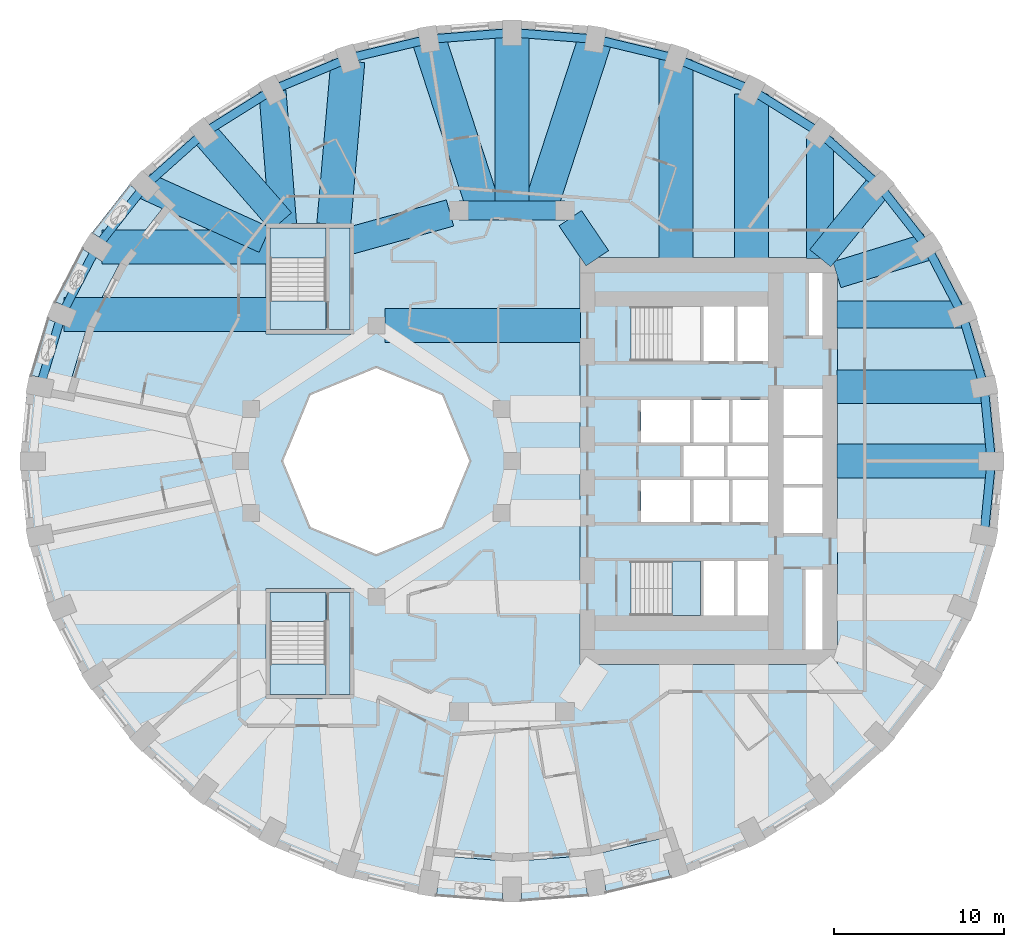
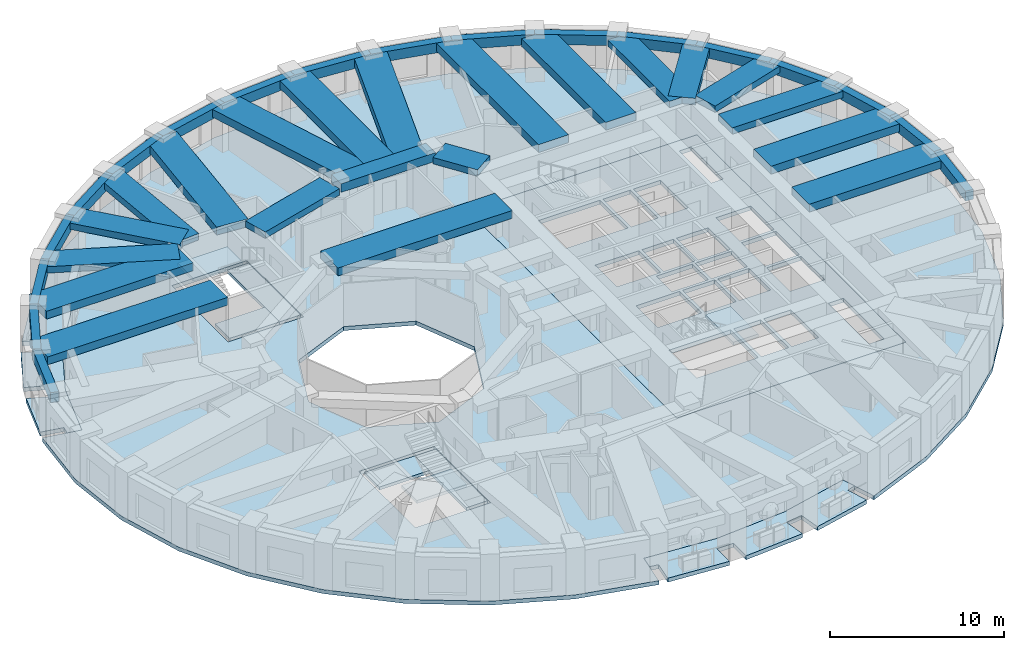
# One storey, part 2 of 13: 39 beams, 11 slabs, 3 elements without a shape of their own.
"""IFC4 building model written with IfcOpenShell, lengths in metres."""

from ifc_helpers import new_model, si_unit, direction, frame, origin, origin_2d, place, context, subcontext, project, spatial, polyline, rectangle, outline, extrude, material, layer, layer_set, material_profile, profile_set, type_object, element, aggregate, save


model = new_model("IFC4")

# Units and contexts
model_context = context("Model", 3, precision=1e-05, world=origin(), true_north=direction((0.0, 1.0)))
body_context = subcontext(model_context, "Body", "Model", "MODEL_VIEW")
ifc_project = project(units=[si_unit("LENGTHUNIT", "METRE"), si_unit("AREAUNIT", "SQUARE_METRE"), si_unit("VOLUMEUNIT", "CUBIC_METRE"), si_unit("PLANEANGLEUNIT", "RADIAN"), si_unit("MASSUNIT", "GRAM", prefix="KILO")], contexts=[model_context])

# Site, building, storey
site_placement = place(None, origin())
site = spatial("IfcSite", under=ifc_project, at=site_placement, CompositionType="ELEMENT")
building_placement = place(site_placement, origin())
building = spatial("IfcBuilding", under=site, at=building_placement, Name="Taillehof Tower", CompositionType="ELEMENT")
storey_placement = place(building_placement, frame((0.0, 0.0, 34.89990234375)))
storey = spatial("IfcBuildingStorey", under=building, at=storey_placement, Name="L08", CompositionType="ELEMENT", Elevation=34.89990234375)

# Beams
ifc_material_1 = material(Name="Concrete C50/60", Category="concrete")
ifc_material_profile_1 = material_profile(ifc_material_1, rectangle(XDim=1.10009765625, YDim=0.60009765625, at=origin_2d()), Name="RC 1100x600")
ifc_profile_set_1 = profile_set([ifc_material_profile_1], Name="Concrete C50/60")
beam_type_1 = type_object("IfcBeamType", Name="Mid-ring beam C50/60 1100x600", PredefinedType="BEAM", material=ifc_profile_set_1)
beam_1_placement = place(storey_placement, frame((3.125732421875, 14.772216796875, 2.72021484375), z_axis=(-1.0, 0.0, 0.0), x_axis=(0.0, -1.0, 0.0)))
element("IfcBeam", 1, at=beam_1_placement, inside=storey, type_object=beam_type_1, Name="Mid-ring beam MB01", PredefinedType="BEAM", context=body_context, shape_type="SweptSolid", body=[
    extrude(rectangle(XDim=1.10009765625, YDim=0.60009765625, at=origin_2d()), origin(), (0.0, 0.0, 1.0), 6.25146484375),
])
ifc_material_2 = material(Name="Concrete C50/60", Category="concrete")
ifc_material_profile_2 = material_profile(ifc_material_2, rectangle(XDim=1.60009765625, YDim=0.449951171875, at=origin_2d()), Name="RC 1600x450")
ifc_profile_set_2 = profile_set([ifc_material_profile_2], Name="Concrete C50/60")
beam_type_2 = type_object("IfcBeamType", Name="Radial band beam C50/60 1600x450", PredefinedType="BEAM", material=ifc_profile_set_2)
beam_2_placement = place(storey_placement, frame((26.490478515625, 8.635986328125, 2.795166015625), z_axis=(-1.0, 0.0, 0.0), x_axis=(0.0, -1.0, 0.0)))
element("IfcBeam", 2, at=beam_2_placement, inside=storey, type_object=beam_type_2, Name="Radial band beam RB03", PredefinedType="BEAM", context=body_context, shape_type="SweptSolid", body=[
    extrude(rectangle(XDim=1.60009765625, YDim=0.449951171875, at=origin_2d()), origin(), (0.0, 0.0, 1.0), 7.340576171875),
])
beam_3_placement = place(storey_placement, frame((24.46533203125, 12.625, 2.795166015625), z_axis=(-0.955535654338, -0.294875589511, 0.0), x_axis=(0.294875589511, -0.955535654338, 0.0)))
element("IfcBeam", 3, at=beam_3_placement, inside=storey, type_object=beam_type_2, Name="Radial band beam RB04", PredefinedType="BEAM", context=body_context, shape_type="SweptSolid", body=[
    extrude(rectangle(XDim=1.60009765625, YDim=0.449951171875, at=origin_2d()), origin(), (0.0, 0.0, 1.0), 5.560546875),
])
beam_4_placement = place(storey_placement, frame((21.640869140625, 16.23046875, 2.795166015625), z_axis=(-0.630988373846, -0.775792286679, 0.0), x_axis=(0.775792286679, -0.630988373846, 0.0)))
element("IfcBeam", 4, at=beam_4_placement, inside=storey, type_object=beam_type_2, Name="Radial band beam RB05", PredefinedType="BEAM", context=body_context, shape_type="SweptSolid", body=[
    extrude(rectangle(XDim=1.60009765625, YDim=0.449951171875, at=origin_2d()), origin(), (0.0, 0.0, 1.0), 5.503173828125),
])
beam_5_placement = place(storey_placement, frame((18.15869140625, 19.05517578125, 2.795166015625), z_axis=(0.0, -1.0, 0.0), x_axis=(1.0, 0.0, 0.0)))
element("IfcBeam", 5, at=beam_5_placement, inside=storey, type_object=beam_type_2, Name="Radial band beam RB06", PredefinedType="BEAM", context=body_context, shape_type="SweptSolid", body=[
    extrude(rectangle(XDim=1.60009765625, YDim=0.449951171875, at=origin_2d()), origin(), (0.0, 0.0, 1.0), 7.105224609375),
])
beam_6_placement = place(storey_placement, frame((-14.119873046875, 21.802978515625, 2.795166015625), z_axis=(0.079184740988, -0.996859958467, 0.0), x_axis=(0.996859958467, 0.079184740988, 0.0)))
element("IfcBeam", 6, at=beam_6_placement, inside=storey, type_object=beam_type_2, Name="Radial band beam RB13", PredefinedType="BEAM", context=body_context, shape_type="SweptSolid", body=[
    extrude(rectangle(XDim=1.60009765625, YDim=0.449951171875, at=origin_2d()), origin(), (0.0, 0.0, 1.0), 7.87744140625),
])
beam_7_placement = place(storey_placement, frame((-18.15869140625, 19.342529296875, 2.795166015625), z_axis=(0.65721824087, -0.753700327628, 0.0), x_axis=(0.753700327628, 0.65721824087, 0.0)))
element("IfcBeam", 7, at=beam_7_placement, inside=storey, type_object=beam_type_2, Name="Radial band beam RB14", PredefinedType="BEAM", context=body_context, shape_type="SweptSolid", body=[
    extrude(rectangle(XDim=1.60009765625, YDim=0.449951171875, at=origin_2d()), origin(), (0.0, 0.0, 1.0), 6.9384765625),
])
beam_8_placement = place(storey_placement, frame((-21.632568359375, 16.226806640625, 2.795166015625), z_axis=(0.911100590789, -0.412184077161, 0.0), x_axis=(0.412184077161, 0.911100590789, 0.0)))
element("IfcBeam", 8, at=beam_8_placement, inside=storey, type_object=beam_type_2, Name="Radial band beam RB15", PredefinedType="BEAM", context=body_context, shape_type="SweptSolid", body=[
    extrude(rectangle(XDim=1.60009765625, YDim=0.449951171875, at=origin_2d()), origin(), (0.0, 0.0, 1.0), 7.740966796875),
])
beam_9_placement = place(storey_placement, frame((3.433837890625, 14.31640625, 2.795166015625), z_axis=(0.560112043398, -0.828416862962, 0.0), x_axis=(0.828416862962, 0.560112043398, 0.0)))
element("IfcBeam", 9, at=beam_9_placement, inside=storey, type_object=beam_type_2, Name="Inner band beam IB205", PredefinedType="BEAM", context=body_context, shape_type="SweptSolid", body=[
    extrude(rectangle(XDim=1.60009765625, YDim=0.449951171875, at=origin_2d()), origin(), (0.0, 0.0, 1.0), 2.84619140625),
])
beam_10_placement = place(storey_placement, frame((-3.655517578125, 14.624755859375, 2.795166015625), z_axis=(-0.963459369536, -0.267854518821, 0.0), x_axis=(0.267854518821, -0.963459369536, 0.0)))
element("IfcBeam", 10, at=beam_10_placement, inside=storey, type_object=beam_type_2, Name="Inner band beam IB206", PredefinedType="BEAM", context=body_context, shape_type="SweptSolid", body=[
    extrude(rectangle(XDim=1.60009765625, YDim=0.449951171875, at=origin_2d()), origin(), (0.0, 0.0, 1.0), 6.096923828125),
])
ifc_material_3 = material(Name="Concrete C50/60", Category="concrete")
ifc_material_profile_3 = material_profile(ifc_material_3, rectangle(XDim=2.0, YDim=0.550048828125, at=origin_2d()), Name="RC 2000x550")
ifc_profile_set_3 = profile_set([ifc_material_profile_3], Name="Concrete C50/60")
beam_type_3 = type_object("IfcBeamType", Name="Radial band beam C50/60 2000x550", PredefinedType="BEAM", material=ifc_profile_set_3)
beam_11_placement = place(storey_placement, frame((28.25, 0.0, 2.7451171875), z_axis=(-1.0, 0.0, 0.0), x_axis=(0.0, -1.0, 0.0)))
element("IfcBeam", 11, at=beam_11_placement, inside=storey, type_object=beam_type_3, Name="Radial band beam RB01", PredefinedType="BEAM", context=body_context, shape_type="SweptSolid", body=[
    extrude(rectangle(XDim=2.0, YDim=0.550048828125, at=origin_2d()), origin(), (0.0, 0.0, 1.0), 9.10009765625),
])
beam_12_placement = place(storey_placement, frame((27.82080078125, 4.384521484375, 2.7451171875), z_axis=(-1.0, 0.0, 0.0), x_axis=(0.0, -1.0, 0.0)))
element("IfcBeam", 12, at=beam_12_placement, inside=storey, type_object=beam_type_3, Name="Radial band beam RB02", PredefinedType="BEAM", context=body_context, shape_type="SweptSolid", body=[
    extrude(rectangle(XDim=2.0, YDim=0.550048828125, at=origin_2d()), origin(), (0.0, 0.0, 1.0), 8.6708984375),
])
beam_13_placement = place(storey_placement, frame((14.125, 21.63232421875, 2.7451171875), z_axis=(0.0, -1.0, 0.0), x_axis=(1.0, 0.0, 0.0)))
element("IfcBeam", 13, at=beam_13_placement, inside=storey, type_object=beam_type_3, Name="Radial band beam RB07", PredefinedType="BEAM", context=body_context, shape_type="SweptSolid", body=[
    extrude(rectangle(XDim=2.0, YDim=0.550048828125, at=origin_2d()), origin(), (0.0, 0.0, 1.0), 9.682373046875),
])
beam_14_placement = place(storey_placement, frame((9.662109375, 23.664794921875, 2.7451171875), z_axis=(0.0, -1.0, 0.0), x_axis=(1.0, 0.0, 0.0)))
element("IfcBeam", 14, at=beam_14_placement, inside=storey, type_object=beam_type_3, Name="Radial band beam RB08", PredefinedType="BEAM", context=body_context, shape_type="SweptSolid", body=[
    extrude(rectangle(XDim=2.0, YDim=0.550048828125, at=origin_2d()), origin(), (0.0, 0.0, 1.0), 11.71484375),
])
beam_15_placement = place(storey_placement, frame((4.905517578125, 24.866455078125, 2.7451171875), z_axis=(-0.309014294595, -0.951057393503, 0.0), x_axis=(0.951057393503, -0.309014294595, 0.0)))
element("IfcBeam", 15, at=beam_15_placement, inside=storey, type_object=beam_type_3, Name="Radial band beam RB09", PredefinedType="BEAM", context=body_context, shape_type="SweptSolid", body=[
    extrude(rectangle(XDim=2.0, YDim=0.550048828125, at=origin_2d()), origin(), (0.0, 0.0, 1.0), 10.61376953125),
])
beam_16_placement = place(storey_placement, frame((0.0, 25.25, 2.7451171875), z_axis=(0.0, -1.0, 0.0), x_axis=(1.0, 0.0, 0.0)))
element("IfcBeam", 16, at=beam_16_placement, inside=storey, type_object=beam_type_3, Name="Radial band beam RB10", PredefinedType="BEAM", context=body_context, shape_type="SweptSolid", body=[
    extrude(rectangle(XDim=2.0, YDim=0.550048828125, at=origin_2d()), origin(), (0.0, 0.0, 1.0), 10.477783203125),
])
beam_17_placement = place(storey_placement, frame((-4.905517578125, 24.866455078125, 2.7451171875), z_axis=(0.309014294595, -0.951057393503, 0.0), x_axis=(0.951057393503, 0.309014294595, 0.0)))
element("IfcBeam", 17, at=beam_17_placement, inside=storey, type_object=beam_type_3, Name="Radial band beam RB11", PredefinedType="BEAM", context=body_context, shape_type="SweptSolid", body=[
    extrude(rectangle(XDim=2.0, YDim=0.550048828125, at=origin_2d()), origin(), (0.0, 0.0, 1.0), 10.61376953125),
])
beam_18_placement = place(storey_placement, frame((-9.675048828125, 23.575927734375, 2.7451171875), z_axis=(-0.085841202752, -0.996308831593, 0.0), x_axis=(0.996308831593, -0.085841202752, 0.0)))
element("IfcBeam", 18, at=beam_18_placement, inside=storey, type_object=beam_type_3, Name="Radial band beam RB12", PredefinedType="BEAM", context=body_context, shape_type="SweptSolid", body=[
    extrude(rectangle(XDim=2.0, YDim=0.550048828125, at=origin_2d()), origin(), (0.0, 0.0, 1.0), 9.661376953125),
])
beam_19_placement = place(storey_placement, frame((-24.172607421875, 12.625, 2.7451171875), z_axis=(1.0, 0.0, 0.0), x_axis=(0.0, 1.0, 0.0)))
element("IfcBeam", 19, at=beam_19_placement, inside=storey, type_object=beam_type_3, Name="Radial band beam RB16", PredefinedType="BEAM", context=body_context, shape_type="SweptSolid", body=[
    extrude(rectangle(XDim=2.0, YDim=0.550048828125, at=origin_2d()), origin(), (0.0, 0.0, 1.0), 9.72265625),
])
beam_20_placement = place(storey_placement, frame((-26.408935546875, 8.635986328125, 2.7451171875), z_axis=(1.0, 0.0, 0.0), x_axis=(0.0, 1.0, 0.0)))
element("IfcBeam", 20, at=beam_20_placement, inside=storey, type_object=beam_type_3, Name="Radial band beam RB17", PredefinedType="BEAM", context=body_context, shape_type="SweptSolid", body=[
    extrude(rectangle(XDim=2.0, YDim=0.550048828125, at=origin_2d()), origin(), (0.0, 0.0, 1.0), 11.958984375),
])
beam_21_placement = place(storey_placement, frame((-7.5, 8.0, 2.7451171875), z_axis=(1.0, 0.0, 0.0), x_axis=(0.0, 1.0, 0.0)))
element("IfcBeam", 21, at=beam_21_placement, inside=storey, type_object=beam_type_3, Name="Inner band beam IB105", PredefinedType="BEAM", context=body_context, shape_type="SweptSolid", body=[
    extrude(rectangle(XDim=2.0, YDim=0.550048828125, at=origin_2d()), origin(), (0.0, 0.0, 1.0), 11.550048828125),
])
ifc_material_4 = material(Name="Concrete C50/60", Category="concrete")
ifc_material_profile_4 = material_profile(ifc_material_4, rectangle(XDim=0.5, YDim=0.699951171875, at=origin_2d()), Name="RC 500x700")
ifc_profile_set_4 = profile_set([ifc_material_profile_4], Name="Concrete C50/60")
beam_type_4 = type_object("IfcBeamType", Name="Spandrel beam C50/60 500x700", PredefinedType="SPANDREL", material=ifc_profile_set_4)
beam_22_placement = place(storey_placement, frame((28.25, 0.0, 2.670166015625), z_axis=(-0.097423973567, 0.99524297002, 0.0), x_axis=(-0.99524297002, -0.097423973567, 0.0)))
element("IfcBeam", 22, at=beam_22_placement, inside=storey, type_object=beam_type_4, Name="Spandrel beam SB01", PredefinedType="SPANDREL", context=body_context, shape_type="SweptSolid", body=[
    extrude(rectangle(XDim=0.5, YDim=0.699951171875, at=origin_2d()), origin(), (0.0, 0.0, 1.0), 4.405517578125),
])
beam_23_placement = place(storey_placement, frame((27.82080078125, 4.384521484375, 2.670166015625), z_axis=(-0.287135925407, 0.957889847707, 0.0), x_axis=(-0.957889847707, -0.287135925407, 0.0)))
element("IfcBeam", 23, at=beam_23_placement, inside=storey, type_object=beam_type_4, Name="Spandrel beam SB02", PredefinedType="SPANDREL", context=body_context, shape_type="SweptSolid", body=[
    extrude(rectangle(XDim=0.5, YDim=0.699951171875, at=origin_2d()), origin(), (0.0, 0.0, 1.0), 4.4384765625),
])
beam_24_placement = place(storey_placement, frame((26.54638671875, 8.635986328125, 2.670166015625), z_axis=(-0.462536335232, 0.886600326297, 0.0), x_axis=(-0.886600326297, -0.462536335232, 0.0)))
element("IfcBeam", 24, at=beam_24_placement, inside=storey, type_object=beam_type_4, Name="Spandrel beam SB03", PredefinedType="SPANDREL", context=body_context, shape_type="SweptSolid", body=[
    extrude(rectangle(XDim=0.5, YDim=0.699951171875, at=origin_2d()), origin(), (0.0, 0.0, 1.0), 4.499267578125),
])
beam_25_placement = place(storey_placement, frame((24.46533203125, 12.625, 2.670166015625), z_axis=(-0.616686200373, 0.787209076593, 0.0), x_axis=(-0.787209076593, -0.616686200373, 0.0)))
element("IfcBeam", 25, at=beam_25_placement, inside=storey, type_object=beam_type_4, Name="Spandrel beam SB04", PredefinedType="SPANDREL", context=body_context, shape_type="SweptSolid", body=[
    extrude(rectangle(XDim=0.5, YDim=0.699951171875, at=origin_2d()), origin(), (0.0, 0.0, 1.0), 4.580078125),
])
beam_26_placement = place(storey_placement, frame((21.640869140625, 16.23046875, 2.670166015625), z_axis=(-0.745621283614, 0.666369943366, 0.0), x_axis=(-0.666369943366, -0.745621283614, 0.0)))
element("IfcBeam", 26, at=beam_26_placement, inside=storey, type_object=beam_type_4, Name="Spandrel beam SB05", PredefinedType="SPANDREL", context=body_context, shape_type="SweptSolid", body=[
    extrude(rectangle(XDim=0.5, YDim=0.699951171875, at=origin_2d()), origin(), (0.0, 0.0, 1.0), 4.670166015625),
])
beam_27_placement = place(storey_placement, frame((18.15869140625, 19.342529296875, 2.670166015625), z_axis=(-0.847658018883, 0.530543007703, 0.0), x_axis=(-0.530543007703, -0.847658018883, 0.0)))
element("IfcBeam", 27, at=beam_27_placement, inside=storey, type_object=beam_type_4, Name="Spandrel beam SB06", PredefinedType="SPANDREL", context=body_context, shape_type="SweptSolid", body=[
    extrude(rectangle(XDim=0.5, YDim=0.699951171875, at=origin_2d()), origin(), (0.0, 0.0, 1.0), 4.758544921875),
])
beam_28_placement = place(storey_placement, frame((14.125, 21.8671875, 2.670166015625), z_axis=(-0.923035088053, 0.384715773297, 0.0), x_axis=(-0.384715773297, -0.923035088053, 0.0)))
element("IfcBeam", 28, at=beam_28_placement, inside=storey, type_object=beam_type_4, Name="Spandrel beam SB07", PredefinedType="SPANDREL", context=body_context, shape_type="SweptSolid", body=[
    extrude(rectangle(XDim=0.5, YDim=0.699951171875, at=origin_2d()), origin(), (0.0, 0.0, 1.0), 4.8349609375),
])
beam_29_placement = place(storey_placement, frame((9.662109375, 23.727294921875, 2.670166015625), z_axis=(-0.9724995553, 0.232904733616, 0.0), x_axis=(-0.232904733616, -0.9724995553, 0.0)))
element("IfcBeam", 29, at=beam_29_placement, inside=storey, type_object=beam_type_4, Name="Spandrel beam SB08", PredefinedType="SPANDREL", context=body_context, shape_type="SweptSolid", body=[
    extrude(rectangle(XDim=0.5, YDim=0.699951171875, at=origin_2d()), origin(), (0.0, 0.0, 1.0), 4.89111328125),
])
for number, where, z_axis, x_axis, name in (
    (30, (4.905517578125, 24.866455078125, 2.670166015625), (-0.996957383661, 0.077948541767, 0.0), (-0.077948541767, -0.996957383661, 0.0), "Spandrel beam SB09"),
    (31, (0.0, 25.25, 2.670166015625), (-0.996957383661, -0.077948541767, 0.0), (0.077948541767, -0.996957383661, 0.0), "Spandrel beam SB10"),
):
    element("IfcBeam", number, at=place(storey_placement, frame(where, z_axis=z_axis, x_axis=x_axis)), inside=storey, type_object=beam_type_4, Name=name, PredefinedType="SPANDREL", context=body_context, shape_type="SweptSolid", body=[
        extrude(rectangle(XDim=0.5, YDim=0.699951171875, at=origin_2d()), origin(), (0.0, 0.0, 1.0), 4.92041015625),
    ])
beam_30_placement = place(storey_placement, frame((-4.905517578125, 24.866455078125, 2.670166015625), z_axis=(-0.9724995553, -0.232904733616, 0.0), x_axis=(0.232904733616, -0.9724995553, 0.0)))
element("IfcBeam", 32, at=beam_30_placement, inside=storey, type_object=beam_type_4, Name="Spandrel beam SB11", PredefinedType="SPANDREL", context=body_context, shape_type="SweptSolid", body=[
    extrude(rectangle(XDim=0.5, YDim=0.699951171875, at=origin_2d()), origin(), (0.0, 0.0, 1.0), 4.89111328125),
])
beam_31_placement = place(storey_placement, frame((-9.662109375, 23.727294921875, 2.670166015625), z_axis=(-0.923035088053, -0.384715773297, 0.0), x_axis=(0.384715773297, -0.923035088053, 0.0)))
element("IfcBeam", 33, at=beam_31_placement, inside=storey, type_object=beam_type_4, Name="Spandrel beam SB12", PredefinedType="SPANDREL", context=body_context, shape_type="SweptSolid", body=[
    extrude(rectangle(XDim=0.5, YDim=0.699951171875, at=origin_2d()), origin(), (0.0, 0.0, 1.0), 4.8349609375),
])
beam_32_placement = place(storey_placement, frame((-14.125, 21.8671875, 2.670166015625), z_axis=(-0.847658018883, -0.530543007703, 0.0), x_axis=(0.530543007703, -0.847658018883, 0.0)))
element("IfcBeam", 34, at=beam_32_placement, inside=storey, type_object=beam_type_4, Name="Spandrel beam SB13", PredefinedType="SPANDREL", context=body_context, shape_type="SweptSolid", body=[
    extrude(rectangle(XDim=0.5, YDim=0.699951171875, at=origin_2d()), origin(), (0.0, 0.0, 1.0), 4.758544921875),
])
beam_33_placement = place(storey_placement, frame((-18.15869140625, 19.342529296875, 2.670166015625), z_axis=(-0.745621283614, -0.666369943366, 0.0), x_axis=(0.666369943366, -0.745621283614, 0.0)))
element("IfcBeam", 35, at=beam_33_placement, inside=storey, type_object=beam_type_4, Name="Spandrel beam SB14", PredefinedType="SPANDREL", context=body_context, shape_type="SweptSolid", body=[
    extrude(rectangle(XDim=0.5, YDim=0.699951171875, at=origin_2d()), origin(), (0.0, 0.0, 1.0), 4.670166015625),
])
beam_34_placement = place(storey_placement, frame((-21.640869140625, 16.23046875, 2.670166015625), z_axis=(-0.616686200373, -0.787209076593, 0.0), x_axis=(0.787209076593, -0.616686200373, 0.0)))
element("IfcBeam", 36, at=beam_34_placement, inside=storey, type_object=beam_type_4, Name="Spandrel beam SB15", PredefinedType="SPANDREL", context=body_context, shape_type="SweptSolid", body=[
    extrude(rectangle(XDim=0.5, YDim=0.699951171875, at=origin_2d()), origin(), (0.0, 0.0, 1.0), 4.580078125),
])
beam_35_placement = place(storey_placement, frame((-24.46533203125, 12.625, 2.670166015625), z_axis=(-0.462536335232, -0.886600326297, 0.0), x_axis=(0.886600326297, -0.462536335232, 0.0)))
element("IfcBeam", 37, at=beam_35_placement, inside=storey, type_object=beam_type_4, Name="Spandrel beam SB16", PredefinedType="SPANDREL", context=body_context, shape_type="SweptSolid", body=[
    extrude(rectangle(XDim=0.5, YDim=0.699951171875, at=origin_2d()), origin(), (0.0, 0.0, 1.0), 4.499267578125),
])
beam_36_placement = place(storey_placement, frame((-26.54638671875, 8.635986328125, 2.670166015625), z_axis=(-0.287135925407, -0.957889847707, 0.0), x_axis=(0.957889847707, -0.287135925407, 0.0)))
element("IfcBeam", 38, at=beam_36_placement, inside=storey, type_object=beam_type_4, Name="Spandrel beam SB17", PredefinedType="SPANDREL", context=body_context, shape_type="SweptSolid", body=[
    extrude(rectangle(XDim=0.5, YDim=0.699951171875, at=origin_2d()), origin(), (0.0, 0.0, 1.0), 4.4384765625),
])
beam_37_placement = place(storey_placement, frame((27.82080078125, -4.384521484375, 2.670166015625), z_axis=(0.097423973567, 0.99524297002, 0.0), x_axis=(-0.99524297002, 0.097423973567, 0.0)))
element("IfcBeam", 39, at=beam_37_placement, inside=storey, type_object=beam_type_4, Name="Spandrel beam SB36", PredefinedType="SPANDREL", context=body_context, shape_type="SweptSolid", body=[
    extrude(rectangle(XDim=0.5, YDim=0.699951171875, at=origin_2d()), origin(), (0.0, 0.0, 1.0), 4.405517578125),
])

# Slabs
ifc_material_5 = material(Name="Concrete C40/50", Category="concrete")
ifc_layer_1 = layer(ifc_material_5, 0.280029296875)
ifc_layer_set_1 = layer_set([ifc_layer_1], Name="Balcony slab 280")
slab_type_1 = type_object("IfcSlabType", Name="Balcony slab 280", PredefinedType="USERDEFINED", material=ifc_layer_set_1)
slab_1_placement = place(storey_placement, frame((0.0, 0.0, -0.27978515625)))
element("IfcSlab", 40, at=slab_1_placement, inside=storey, type_object=slab_type_1, Name="Balcony L08 pocket 4", ObjectType="BALCONY", PredefinedType="USERDEFINED", context=body_context, shape_type="SweptSolid", body=[
    extrude(outline(polyline([(-26.20458984375, 4.0517578125), (-27.087646484375, 4.225341796875), (-26.978759765625, 4.779541015625), (-28.39697265625, 5.058349609375), (-27.4013671875, 8.3896484375), (-26.058349609375, 7.84423828125), (-25.64453125, 8.863525390625), (-26.9833984375, 9.406982421875), (-25.352783203125, 12.54248046875), (-24.13232421875, 11.756591796875), (-23.536865234375, 12.681396484375), (-24.752197265625, 13.464111328125), (-22.530029296875, 16.309326171875), (-21.468994140625, 15.31640625), (-21.120849609375, 15.688232421875), (-20.463134765625, 15.072509765625), (-23.096923828125, 11.70068359375), (-25.02734375, 7.98974609375), (-26.20458984375, 4.0517578125)])), origin(), (0.0, 0.0, 1.0), 0.27978515625),
])
slab_2_placement = place(storey_placement, frame((0.0, 0.0, -0.27978515625)))
element("IfcSlab", 41, at=slab_2_placement, inside=storey, type_object=slab_type_1, Name="Balcony L08 pocket 8", ObjectType="BALCONY", PredefinedType="USERDEFINED", context=body_context, shape_type="SweptSolid", body=[
    extrude(outline(polyline([(9.174072265625, -22.150390625), (9.453369140625, -23.00634765625), (8.906494140625, -23.184814453125), (9.357421875, -24.56689453125), (5.559326171875, -25.479248046875), (5.331787109375, -24.039794921875), (4.2451171875, -24.21142578125), (4.472412109375, -25.649169921875), (0.550048828125, -25.956787109375), (0.550048828125, -24.5), (-0.550048828125, -24.5), (-0.550048828125, -25.956787109375), (-4.472412109375, -25.649169921875), (-4.2451171875, -24.21142578125), (-4.801513671875, -24.12353515625), (-4.6611328125, -23.234375), (0.0, -23.60009765625), (4.6611328125, -23.234375), (9.174072265625, -22.150390625)])), origin(), (0.0, 0.0, 1.0), 0.27978515625),
])
ifc_material_6 = material(Name="Concrete C40/50", Category="concrete")
ifc_layer_2 = layer(ifc_material_6, 0.280029296875)
ifc_layer_set_2 = layer_set([ifc_layer_2], Name="Core floor slab C40/50 280")
slab_type_2 = type_object("IfcSlabType", Name="Core floor slab C40/50 280", PredefinedType="FLOOR", material=ifc_layer_set_2)
slab_3_placement = place(storey_placement, frame((0.0, 0.0, -0.27978515625)))
element("IfcSlab", 42, at=slab_3_placement, inside=storey, type_object=slab_type_2, Name="Core floor L08", PredefinedType="FLOOR", context=body_context, shape_type="SweptSolid", body=[
    extrude(outline(polyline([(4.0, -12.0), (4.0, 12.0), (19.199951171875, 12.0), (19.199951171875, -12.0), (4.0, -12.0)]), holes=[polyline([(7.00048828125, -9.10009765625), (11.10009765625, -9.10009765625), (11.10009765625, -5.89990234375), (7.00048828125, -5.89990234375), (7.00048828125, -9.10009765625)]), polyline([(13.10009765625, -9.10009765625), (13.10009765625, -5.89990234375), (11.300048828125, -5.89990234375), (11.300048828125, -9.10009765625), (13.10009765625, -9.10009765625)]), polyline([(10.5, -3.60009765625), (10.5, -1.10009765625), (7.60009765625, -1.10009765625), (7.60009765625, -3.60009765625), (10.5, -3.60009765625)]), polyline([(12.800048828125, -3.60009765625), (12.800048828125, -1.10009765625), (10.699951171875, -1.10009765625), (10.699951171875, -3.60009765625), (12.800048828125, -3.60009765625)]), polyline([(12.5, -0.89990234375), (12.5, 0.89990234375), (10.10009765625, 0.89990234375), (10.10009765625, -0.89990234375), (12.5, -0.89990234375)]), polyline([(15.10009765625, -0.89990234375), (15.10009765625, 0.89990234375), (12.699951171875, 0.89990234375), (12.699951171875, -0.89990234375), (15.10009765625, -0.89990234375)]), polyline([(10.5, 1.10009765625), (10.5, 3.60009765625), (7.60009765625, 3.60009765625), (7.60009765625, 1.10009765625), (10.5, 1.10009765625)]), polyline([(10.699951171875, 1.10009765625), (12.800048828125, 1.10009765625), (12.800048828125, 3.60009765625), (10.699951171875, 3.60009765625), (10.699951171875, 1.10009765625)]), polyline([(11.300048828125, 5.89990234375), (13.10009765625, 5.89990234375), (13.10009765625, 9.10009765625), (11.300048828125, 9.10009765625), (11.300048828125, 5.89990234375)]), polyline([(11.10009765625, 5.89990234375), (11.10009765625, 9.10009765625), (7.00048828125, 9.10009765625), (7.00048828125, 5.89990234375), (11.10009765625, 5.89990234375)]), polyline([(18.300048828125, -11.10009765625), (18.300048828125, -6.39990234375), (17.300048828125, -6.39990234375), (17.300048828125, -11.10009765625), (18.300048828125, -11.10009765625)]), polyline([(15.10009765625, -9.10009765625), (15.10009765625, -5.89990234375), (13.300048828125, -5.89990234375), (13.300048828125, -9.10009765625), (15.10009765625, -9.10009765625)]), polyline([(16.0, -4.25), (18.300048828125, -4.25), (18.300048828125, -1.550048828125), (16.0, -1.550048828125), (16.0, -4.25)]), polyline([(13.0, -3.60009765625), (15.10009765625, -3.60009765625), (15.10009765625, -1.10009765625), (13.0, -1.10009765625), (13.0, -3.60009765625)]), polyline([(18.300048828125, -1.35009765625), (18.300048828125, 1.35009765625), (16.0, 1.35009765625), (16.0, -1.35009765625), (18.300048828125, -1.35009765625)]), polyline([(15.10009765625, 1.10009765625), (15.10009765625, 3.60009765625), (13.0, 3.60009765625), (13.0, 1.10009765625), (15.10009765625, 1.10009765625)]), polyline([(18.300048828125, 1.550048828125), (18.300048828125, 4.25), (16.0, 4.25), (16.0, 1.550048828125), (18.300048828125, 1.550048828125)]), polyline([(13.300048828125, 5.89990234375), (15.10009765625, 5.89990234375), (15.10009765625, 9.10009765625), (13.300048828125, 9.10009765625), (13.300048828125, 5.89990234375)]), polyline([(17.5, 7.39990234375), (18.300048828125, 7.39990234375), (18.300048828125, 11.10009765625), (17.5, 11.10009765625), (17.5, 7.39990234375)])]), origin(), (0.0, 0.0, 1.0), 0.27978515625),
])
ifc_material_7 = material(Name="Concrete C40/50", Category="concrete")
ifc_layer_3 = layer(ifc_material_7, 0.280029296875)
ifc_layer_set_3 = layer_set([ifc_layer_3], Name="Floor slab 280")
slab_type_3 = type_object("IfcSlabType", Name="Floor slab 280", PredefinedType="FLOOR", material=ifc_layer_set_3)
slab_4_placement = place(storey_placement, frame((0.0, 0.0, -0.27978515625)))
element("IfcSlab", 43, at=slab_4_placement, inside=storey, type_object=slab_type_3, Name="Floor slab L08", PredefinedType="FLOOR", context=body_context, shape_type="SweptSolid", body=[
    extrude(outline(polyline([(29.0, 0.0), (28.559326171875, 4.514892578125), (27.251220703125, 8.892578125), (25.11474609375, 13.0), (22.21533203125, 16.71240234375), (18.640869140625, 19.917236328125), (14.5, 22.5166015625), (9.918701171875, 24.431884765625), (5.035888671875, 25.60498046875), (0.0, 26.0), (-5.035888671875, 25.60498046875), (-9.918701171875, 24.431884765625), (-14.5, 22.5166015625), (-18.640869140625, 19.917236328125), (-22.21533203125, 16.71240234375), (-20.462890625, 15.072509765625), (-23.096923828125, 11.70068359375), (-25.02734375, 7.98974609375), (-26.20458984375, 4.0517578125), (-28.559326171875, 4.514892578125), (-29.0, 0.0), (-28.559326171875, -4.514892578125), (-27.251220703125, -8.892578125), (-25.11474609375, -13.0), (-22.21533203125, -16.71240234375), (-18.640869140625, -19.917236328125), (-14.5, -22.5166015625), (-9.918701171875, -24.431884765625), (-5.035888671875, -25.60498046875), (-4.660888671875, -23.234375), (0.0, -23.60009765625), (4.660888671875, -23.234375), (9.174072265625, -22.150390625), (9.918701171875, -24.431884765625), (14.5, -22.5166015625), (18.640869140625, -19.917236328125), (22.21533203125, -16.71240234375), (25.11474609375, -13.0), (27.251220703125, -8.892578125), (28.559326171875, -4.514892578125), (29.0, 0.0)]), holes=[polyline([(-14.5, -7.5), (-9.5, -7.5), (-9.5, -14.0), (-14.5, -14.0), (-14.5, -7.5)]), polyline([(-8.0, -5.5), (-11.88916015625, -3.88916015625), (-13.5, 0.0), (-11.88916015625, 3.88916015625), (-8.0, 5.5), (-4.11083984375, 3.88916015625), (-2.5, 0.0), (-4.11083984375, -3.88916015625), (-8.0, -5.5)]), polyline([(19.199951171875, 12.0), (19.199951171875, -12.0), (4.0, -12.0), (4.0, 12.0), (19.199951171875, 12.0)]), polyline([(-14.5, 14.0), (-9.5, 14.0), (-9.5, 7.5), (-14.5, 7.5), (-14.5, 14.0)])]), origin(), (0.0, 0.0, 1.0), 0.27978515625),
])

# Stair, slab
ifc_material_8 = material(Name="Concrete C40/50", Category="concrete")
stair_type = type_object("IfcStairType", Name="Exit stair half-turn", PredefinedType="HALF_TURN_STAIR", material=ifc_material_8)
stair_1_placement = place(storey_placement, origin())
stair_1 = element("IfcStair", 44, at=stair_1_placement, inside=storey, type_object=stair_type, Name="Exit stair S2", PredefinedType="HALF_TURN_STAIR")
ifc_material_9 = material(Name="Concrete C40/50", Category="concrete")
ifc_layer_4 = layer(ifc_material_9, 0.2099609375)
ifc_layer_set_4 = layer_set([ifc_layer_4], Name="Stair landing C40/50 210")
slab_type_4 = type_object("IfcSlabType", Name="Stair landing C40/50 210", PredefinedType="LANDING", material=ifc_layer_set_4)
slab_5_placement = place(storey_placement, frame((0.0, 0.0, 1.440185546875)))
slab_5 = element("IfcSlab", 45, at=slab_5_placement, type_object=slab_type_4, Name="S2 landing 1", PredefinedType="LANDING", context=body_context, shape_type="SweptSolid", body=[
    extrude(outline(polyline([(9.429931640625, -5.89990234375), (11.10009765625, -5.89990234375), (11.10009765625, -9.10009765625), (9.429931640625, -9.10009765625), (9.429931640625, -5.89990234375)])), origin(), (0.0, 0.0, 1.0), 0.2099609375),
])
aggregate(stair_1, [slab_5])

stair_2_placement = place(storey_placement, origin())
stair_2 = element("IfcStair", 46, at=stair_2_placement, inside=storey, type_object=stair_type, Name="Exit stair S3", PredefinedType="HALF_TURN_STAIR")
slab_6_placement = place(storey_placement, frame((0.0, 0.0, 1.440185546875)))
slab_6 = element("IfcSlab", 47, at=slab_6_placement, type_object=slab_type_4, Name="S3 landing 1", PredefinedType="LANDING", context=body_context, shape_type="SweptSolid", body=[
    extrude(outline(polyline([(-14.25, 11.969970703125), (-14.25, 13.75), (-10.949951171875, 13.75), (-10.949951171875, 11.969970703125), (-14.25, 11.969970703125)])), origin(), (0.0, 0.0, 1.0), 0.2099609375),
])
aggregate(stair_2, [slab_6])

stair_3_placement = place(storey_placement, origin())
stair_3 = element("IfcStair", 48, at=stair_3_placement, inside=storey, type_object=stair_type, Name="Exit stair S4", PredefinedType="HALF_TURN_STAIR")
slab_7_placement = place(storey_placement, frame((0.0, 0.0, 1.440185546875)))
slab_7 = element("IfcSlab", 49, at=slab_7_placement, type_object=slab_type_4, Name="S4 landing 1", PredefinedType="LANDING", context=body_context, shape_type="SweptSolid", body=[
    extrude(outline(polyline([(-14.25, -11.969970703125), (-14.25, -13.75), (-10.949951171875, -13.75), (-10.949951171875, -11.969970703125), (-14.25, -11.969970703125)])), origin(), (0.0, 0.0, 1.0), 0.2099609375),
])
aggregate(stair_3, [slab_7])

# Slabs
slab_8_placement = place(storey_placement, frame((0.0, 0.0, -0.2099609375)))
element("IfcSlab", 50, at=slab_8_placement, inside=storey, type_object=slab_type_4, Name="Stair S3 floor landing", PredefinedType="LANDING", context=body_context, shape_type="SweptSolid", body=[
    extrude(outline(polyline([(-14.25, 7.75), (-14.25, 9.449951171875), (-10.949951171875, 9.449951171875), (-10.949951171875, 7.75), (-14.25, 7.75)])), origin(), (0.0, 0.0, 1.0), 0.2099609375),
])
slab_9_placement = place(storey_placement, frame((0.0, 0.0, -0.2099609375)))
element("IfcSlab", 51, at=slab_9_placement, inside=storey, type_object=slab_type_4, Name="Stair lobby S3 floor", PredefinedType="LANDING", context=body_context, shape_type="SweptSolid", body=[
    extrude(outline(polyline([(-10.949951171875, 7.75), (-9.550048828125, 7.75), (-9.550048828125, 13.75), (-10.949951171875, 13.75), (-10.949951171875, 7.75)])), origin(), (0.0, 0.0, 1.0), 0.2099609375),
])
slab_10_placement = place(storey_placement, frame((0.0, 0.0, -0.2099609375)))
element("IfcSlab", 52, at=slab_10_placement, inside=storey, type_object=slab_type_4, Name="Stair S4 floor landing", PredefinedType="LANDING", context=body_context, shape_type="SweptSolid", body=[
    extrude(outline(polyline([(-14.25, -7.75), (-14.25, -9.449951171875), (-10.949951171875, -9.449951171875), (-10.949951171875, -7.75), (-14.25, -7.75)])), origin(), (0.0, 0.0, 1.0), 0.2099609375),
])
slab_11_placement = place(storey_placement, frame((0.0, 0.0, -0.2099609375)))
element("IfcSlab", 53, at=slab_11_placement, inside=storey, type_object=slab_type_4, Name="Stair lobby S4 floor", PredefinedType="LANDING", context=body_context, shape_type="SweptSolid", body=[
    extrude(outline(polyline([(-10.949951171875, -13.75), (-9.550048828125, -13.75), (-9.550048828125, -7.75), (-10.949951171875, -7.75), (-10.949951171875, -13.75)])), origin(), (0.0, 0.0, 1.0), 0.2099609375),
])

save(model, "model.ifc")
